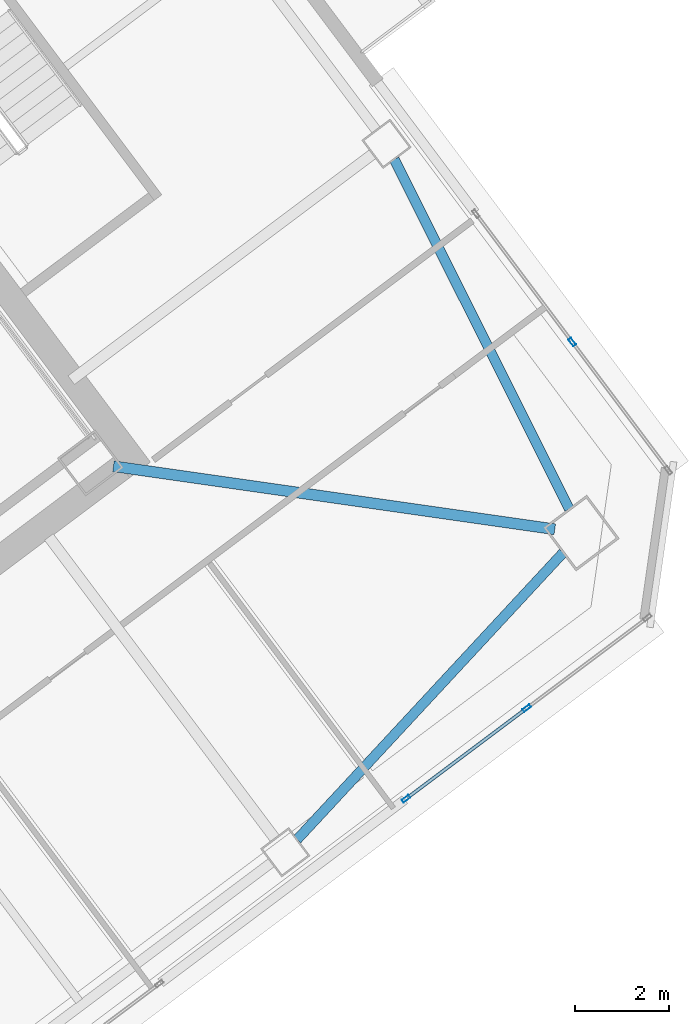
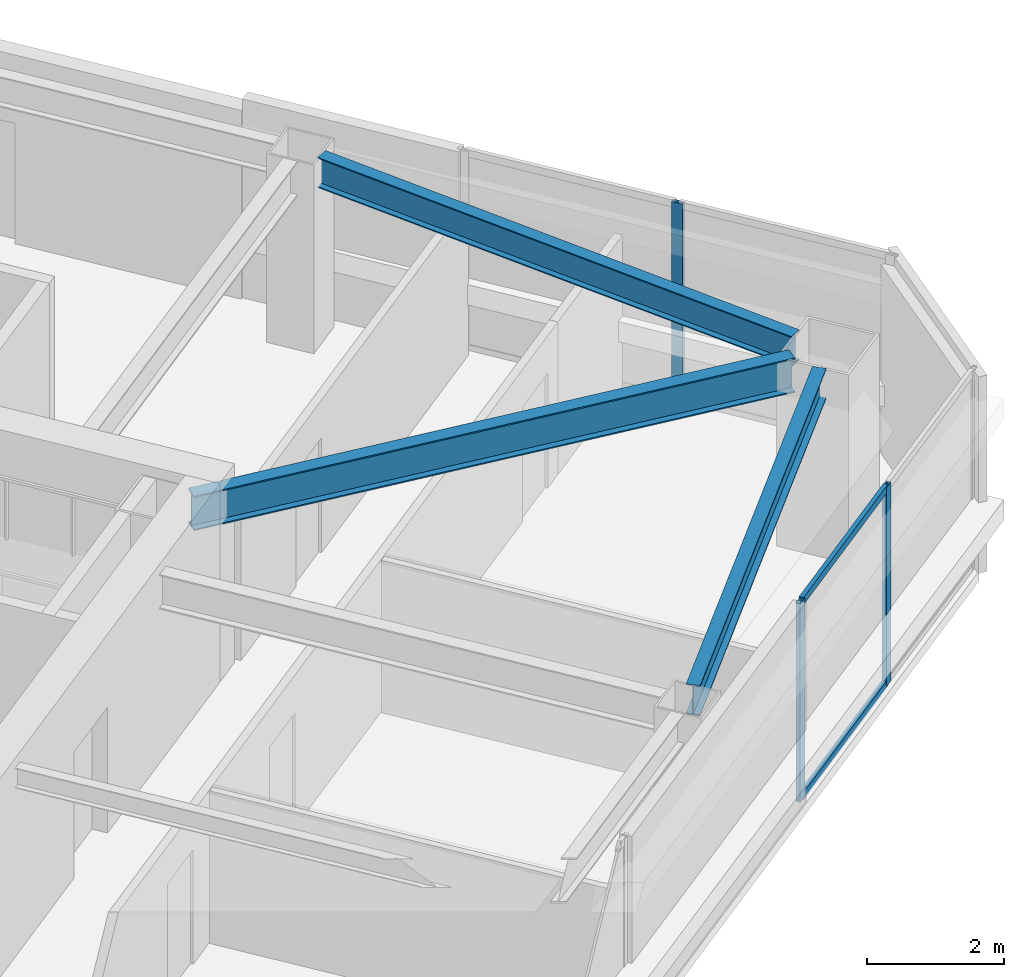
# One storey, part 25 of 43: 5 members, 3 beams, 2 elements without a shape of their own.
"""IFC4 building model written with IfcOpenShell, lengths in metres."""

from ifc_helpers import new_model, si_unit, direction, frame, origin, origin_2d, place, context, subcontext, project, spatial, hollow_rectangle, i_section, extrude, material, material_profile, profile_set, type_object, element, aggregate, save


model = new_model("IFC4")

# Units and contexts
model_context = context("Model", 3, precision=1e-05, world=origin(), true_north=direction((0.0, 1.0)))
body_context = subcontext(model_context, "Body", "Model", "MODEL_VIEW")
ifc_project = project(units=[si_unit("LENGTHUNIT", "METRE"), si_unit("AREAUNIT", "SQUARE_METRE"), si_unit("VOLUMEUNIT", "CUBIC_METRE"), si_unit("PLANEANGLEUNIT", "RADIAN"), si_unit("MASSUNIT", "GRAM", prefix="KILO")], contexts=[model_context])

# Site, building, storey
site_placement = place(None, origin())
site = spatial("IfcSite", under=ifc_project, at=site_placement, CompositionType="ELEMENT")
building_placement = place(site_placement, origin())
building = spatial("IfcBuilding", under=site, at=building_placement, Name="Tashvorn Skyway Center", CompositionType="ELEMENT")
storey_placement = place(building_placement, frame((0.0, 0.0, 185.39990234375)))
storey = spatial("IfcBuildingStorey", under=building, at=storey_placement, Name="L50", CompositionType="ELEMENT", Elevation=185.39990234375)

# Beams
ifc_material_1 = material(Name="Steel ASTM A992 Grade 50", Category="steel")
ifc_material_profile_1 = material_profile(ifc_material_1, i_section(OverallWidth=0.22998046875, OverallDepth=0.616943359375, WebThickness=0.01318359375, FlangeThickness=0.022216796875, at=origin_2d()), Name="W24X94")
ifc_profile_set_1 = profile_set([ifc_material_profile_1], Name="Steel ASTM A992 Grade 50")
beam_type_1 = type_object("IfcBeamType", Name="BM-BEAM-W24X94", PredefinedType="BEAM", material=ifc_profile_set_1)
beam_placement = place(storey_placement, frame((133.73583984375, 29.1806640625, 3.0615234375), z_axis=(-0.989950009213, 0.141417747326, 0.0), x_axis=(-0.141417747326, -0.989950009213, 0.0)))
element("IfcBeam", 1, at=beam_placement, inside=storey, type_object=beam_type_1, Name="Tower 2 L50 Primary Floor Girder MC-SE", PredefinedType="BEAM", context=body_context, shape_type="SweptSolid", body=[
    extrude(i_section(OverallWidth=0.22998046875, OverallDepth=0.616943359375, WebThickness=0.01318359375, FlangeThickness=0.022216796875, at=origin_2d()), origin(), (0.0, 0.0, 1.0), 9.470947265625),
])
ifc_material_profile_2 = material_profile(ifc_material_1, i_section(OverallWidth=0.2109375, OverallDepth=0.5390625, WebThickness=0.01171875, FlangeThickness=0.018798828125, at=origin_2d()), Name="W21X73")
ifc_profile_set_2 = profile_set([ifc_material_profile_2], Name="Steel ASTM A992 Grade 50")
beam_type_2 = type_object("IfcBeamType", Name="BM-SPANDREL-W21X73", PredefinedType="SPANDREL", material=ifc_profile_set_2)
for number, where, z_axis, x_axis, name in (
    (2, (128.26171875, 22.59130859375, 3.1005859375), (0.680119661736, 0.733101115618, 0.0), (-0.733101115618, 0.680119661736, 0.0), "Tower 2 L50 Spandrel Beam 03"),
    (3, (134.044921875, 29.609619140625, 3.1005859375), (-0.447648438059, 0.894209637559, 0.0), (-0.894209637559, -0.447648438059, 0.0), "Tower 2 L50 Spandrel Beam 04"),
):
    element("IfcBeam", number, at=place(storey_placement, frame(where, z_axis=z_axis, x_axis=x_axis)), inside=storey, type_object=beam_type_2, Name=name, PredefinedType="SPANDREL", context=body_context, shape_type="SweptSolid", body=[
        extrude(i_section(OverallWidth=0.2109375, OverallDepth=0.5390625, WebThickness=0.01171875, FlangeThickness=0.018798828125, at=origin_2d()), origin(), (0.0, 0.0, 1.0), 8.308349609375),
    ])

# Curtain wall, members
ifc_material_2 = material(Name="Thermally broken bronze-anodized aluminium 6063-T6", Category="aluminium")
curtain_wall_type = type_object("IfcCurtainWallType", Name="CW-CW-Z4", PredefinedType="NOTDEFINED", material=ifc_material_2)
curtain_wall_1_placement = place(storey_placement, origin())
curtain_wall_1 = element("IfcCurtainWall", 4, at=curtain_wall_1_placement, inside=storey, type_object=curtain_wall_type, Name="Tower 2 L50 South Unitised Curtain Wall Glazing Group 1", PredefinedType="NOTDEFINED")
ifc_material_profile_3 = material_profile(ifc_material_2, hollow_rectangle(XDim=0.070068359375, YDim=0.179931640625, WallThickness=0.00390625, at=origin_2d()), Name="ALU-MULL-70x180")
ifc_profile_set_3 = profile_set([ifc_material_profile_3], Name="Thermally broken bronze-anodized aluminium 6063-T6")
member_type_1 = type_object("IfcMemberType", Name="CWM-CW-Z4", PredefinedType="MULLION", material=ifc_profile_set_3)
member_1_placement = place(storey_placement, frame((133.139892578125, 25.3798828125, 0.0), z_axis=(0.0, 0.0, 1.0), x_axis=(0.600000000002, -0.799999999998, 0.0)))
member_1 = element("IfcMember", 5, at=member_1_placement, type_object=member_type_1, Name="CW-Z4 mullion 2", PredefinedType="MULLION", context=body_context, shape_type="SweptSolid", body=[
    extrude(hollow_rectangle(XDim=0.070068359375, YDim=0.179931640625, WallThickness=0.00390625, at=origin_2d()), origin(), (0.0, 0.0, 1.0), 3.550048828125),
])
member_2_placement = place(storey_placement, frame((130.575927734375, 23.45703125, 0.0), z_axis=(0.0, 0.0, 1.0), x_axis=(0.600000000002, -0.799999999998, 0.0)))
member_2 = element("IfcMember", 6, at=member_2_placement, type_object=member_type_1, Name="CW-Z4 mullion 3", PredefinedType="MULLION", context=body_context, shape_type="SweptSolid", body=[
    extrude(hollow_rectangle(XDim=0.070068359375, YDim=0.179931640625, WallThickness=0.00390625, at=origin_2d()), origin(), (0.0, 0.0, 1.0), 3.550048828125),
])

# Curtain wall, member
curtain_wall_2_placement = place(storey_placement, origin())
curtain_wall_2 = element("IfcCurtainWall", 7, at=curtain_wall_2_placement, inside=storey, type_object=curtain_wall_type, Name="Tower 2 L50 East Curtain Wall R Glazing Group 1", PredefinedType="NOTDEFINED")
member_3_placement = place(storey_placement, frame((134.10595703125, 33.15869140625, 0.0), z_axis=(0.0, 0.0, 1.0), x_axis=(0.79999825749, 0.60000232334, 0.0)))
member_3 = element("IfcMember", 8, at=member_3_placement, type_object=member_type_1, Name="CW-Z4 mullion 2", PredefinedType="MULLION", context=body_context, shape_type="SweptSolid", body=[
    extrude(hollow_rectangle(XDim=0.070068359375, YDim=0.179931640625, WallThickness=0.00390625, at=origin_2d()), origin(), (0.0, 0.0, 1.0), 3.550048828125),
])
aggregate(curtain_wall_2, [member_3])

# Member
ifc_material_profile_4 = material_profile(ifc_material_2, hollow_rectangle(XDim=0.070068359375, YDim=0.1298828125, WallThickness=0.00390625, at=origin_2d()), Name="ALU-TRAN-70x130")
ifc_profile_set_4 = profile_set([ifc_material_profile_4], Name="Thermally broken bronze-anodized aluminium 6063-T6")
member_type_2 = type_object("IfcMemberType", Name="CWT-CW-Z4", PredefinedType="USERDEFINED", material=ifc_profile_set_4)
member_4_placement = place(storey_placement, frame((133.112060546875, 25.35888671875, 0.03515625), z_axis=(-0.800028034763, -0.599962618496, 0.0), x_axis=(0.599962618496, -0.800028034763, 0.0)))
member_4 = element("IfcMember", 9, at=member_4_placement, type_object=member_type_2, Name="CW-Z4 transom 2.1", ObjectType="TRANSOM", PredefinedType="USERDEFINED", context=body_context, shape_type="SweptSolid", body=[
    extrude(hollow_rectangle(XDim=0.070068359375, YDim=0.1298828125, WallThickness=0.00390625, at=origin_2d()), origin(), (0.0, 0.0, 1.0), 3.135009765625),
])

member_5_placement = place(storey_placement, frame((133.112060546875, 25.35888671875, 3.51513671875), z_axis=(-0.800028034763, -0.599962618496, 0.0), x_axis=(0.599962618496, -0.800028034763, 0.0)))
member_5 = element("IfcMember", 10, at=member_5_placement, type_object=member_type_2, Name="CW-Z4 transom 2.2", ObjectType="TRANSOM", PredefinedType="USERDEFINED", context=body_context, shape_type="SweptSolid", body=[
    extrude(hollow_rectangle(XDim=0.070068359375, YDim=0.1298828125, WallThickness=0.00390625, at=origin_2d()), origin(), (0.0, 0.0, 1.0), 3.135009765625),
])

aggregate(curtain_wall_1, [member_1, member_2, member_4, member_5])

save(model, "model.ifc")
